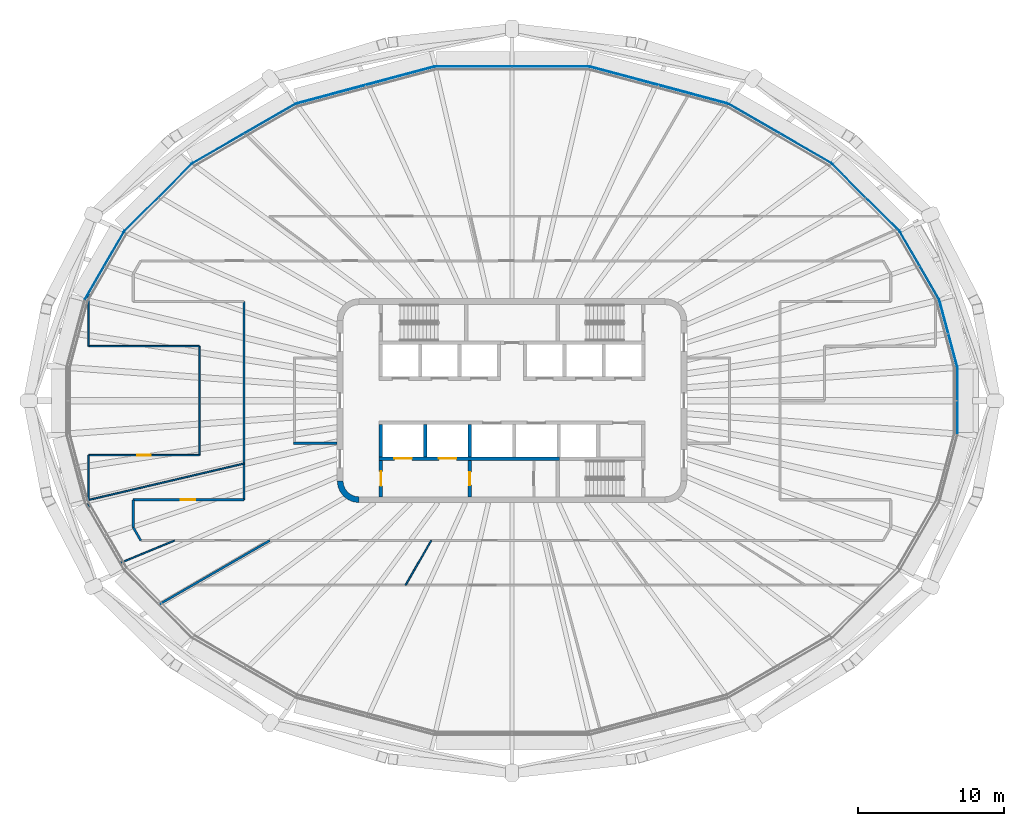
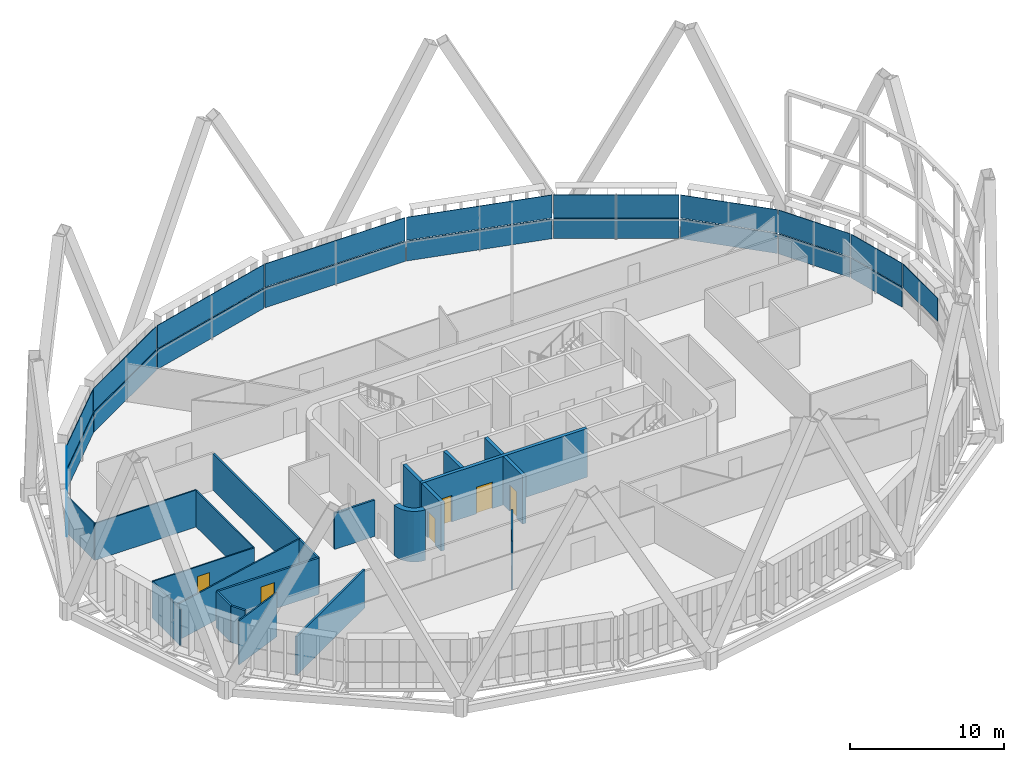
# One storey, part 12 of 23: 21 plates, 21 walls, 6 doors, 6 openings, 11 elements without a shape of their own.
"""IFC4 building model written with IfcOpenShell, lengths in metres."""

from ifc_helpers import new_model, si_unit, direction, frame, frame_2d, origin, place, context, subcontext, project, spatial, polyline, rectangle, outline, extrude, material, layer, layer_set, type_object, element, fill, aggregate, save


model = new_model("IFC4")

# Units and contexts
model_context = context("Model", 3, precision=1e-05, world=origin(), true_north=direction((0.0, 1.0)))
body_context = subcontext(model_context, "Body", "Model", "MODEL_VIEW")
ifc_project = project(units=[si_unit("LENGTHUNIT", "METRE"), si_unit("AREAUNIT", "SQUARE_METRE"), si_unit("VOLUMEUNIT", "CUBIC_METRE"), si_unit("PLANEANGLEUNIT", "RADIAN"), si_unit("MASSUNIT", "GRAM", prefix="KILO")], contexts=[model_context])

# Site, building, storey
site_placement = place(None, origin())
site = spatial("IfcSite", under=ifc_project, at=site_placement, CompositionType="ELEMENT")
building_placement = place(site_placement, origin())
building = spatial("IfcBuilding", under=site, at=building_placement, Name="Sahrelin Media Tower", CompositionType="ELEMENT")
storey_placement = place(building_placement, frame((0.0, 0.0, 217.60009765625)))
storey = spatial("IfcBuildingStorey", under=building, at=storey_placement, Name="L46", CompositionType="ELEMENT", Elevation=217.60009765625)

# Curtain wall, plate
ifc_material_1 = material(Name="Champagne anodised aluminium 6063-T6", Category="aluminium")
ifc_layer_1 = layer(ifc_material_1, 0.14990234375)
ifc_layer_set_1 = layer_set([ifc_layer_1], Name="Tower ribbon curtain wall")
curtain_wall_type = type_object("IfcCurtainWallType", Name="Tower ribbon curtain wall", PredefinedType="NOTDEFINED", material=ifc_layer_set_1)
curtain_wall_1_placement = place(storey_placement, frame((30.58251953125, 0.0, 0.0), z_axis=(0.0, 0.0, 1.0), x_axis=(1.0, 0.0, 0.0)))
curtain_wall_1 = element("IfcCurtainWall", 1, at=curtain_wall_1_placement, inside=storey, type_object=curtain_wall_type, Name="L46:CW:L46-00", PredefinedType="NOTDEFINED")
ifc_material_2 = material(Name="Clear low-iron glazing", Category="glass")
ifc_layer_2 = layer(ifc_material_2, 0.0439453125)
ifc_layer_set_2 = layer_set([ifc_layer_2], Name="Glazing panel 44 mm CW1B")
plate_type_1 = type_object("IfcPlateType", Name="Glazing panel 44 mm CW1B", PredefinedType="CURTAIN_PANEL", material=ifc_layer_set_2)
plate_1_placement = place(storey_placement, frame((30.6025390625, -2.23486328125, 1.6298828125), z_axis=(1.0, 0.0, 0.0), x_axis=(0.0, 1.0, 0.0)))
plate_1 = element("IfcPlate", 2, at=plate_1_placement, type_object=plate_type_1, Name="L46:CWP2:L46-00", PredefinedType="CURTAIN_PANEL", context=body_context, shape_type="SweptSolid", body=[
    extrude(outline(polyline([(0.0, 0.0), (4.4697265625, 0.0), (4.4697265625, 1.818603515625), (0.0, 1.818603515625), (0.0, 0.0)])), origin(), (0.0, 0.0, -1.0), 0.0439453125),
])
aggregate(curtain_wall_1, [plate_1])

curtain_wall_2_placement = place(storey_placement, frame((29.964111328125, 4.593017578125, 0.0), z_axis=(0.0, 0.0, 1.0), x_axis=(1.0, 0.0, 0.0)))
curtain_wall_2 = element("IfcCurtainWall", 3, at=curtain_wall_2_placement, inside=storey, type_object=curtain_wall_type, Name="L46:CW:L46-01", PredefinedType="NOTDEFINED")
plate_2_placement = place(storey_placement, frame((30.589111328125, 2.33837890625, 1.6298828125), z_axis=(0.965919870225, 0.258841272413, 0.0), x_axis=(-0.258841272413, 0.965919870225, 0.0)))
plate_2 = element("IfcPlate", 4, at=plate_2_placement, type_object=plate_type_1, Name="L46:CWP2:L46-01", PredefinedType="CURTAIN_PANEL", context=body_context, shape_type="SweptSolid", body=[
    extrude(outline(polyline([(0.0, 0.0), (4.67919921875, 0.0), (4.67919921875, 1.818603515625), (0.0, 1.818603515625), (0.0, 0.0)])), origin(), (0.0, 0.0, -1.0), 0.0439453125),
])

curtain_wall_3_placement = place(storey_placement, frame((27.986083984375, 9.255859375, 0.0), z_axis=(0.0, 0.0, 1.0), x_axis=(1.0, 0.0, 0.0)))
curtain_wall_3 = element("IfcCurtainWall", 5, at=curtain_wall_3_placement, inside=storey, type_object=curtain_wall_type, Name="L46:CW:L46-02", PredefinedType="NOTDEFINED")
plate_3_placement = place(storey_placement, frame((29.337890625, 6.95458984375, 1.6298828125), z_axis=(0.866027925839, 0.499995631649, 0.0), x_axis=(-0.499995631649, 0.866027925839, 0.0)))
plate_3 = element("IfcPlate", 6, at=plate_3_placement, type_object=plate_type_1, Name="L46:CWP2:L46-02", PredefinedType="CURTAIN_PANEL", context=body_context, shape_type="SweptSolid", body=[
    extrude(outline(polyline([(0.0, 0.0), (5.337890625, 0.0), (5.337890625, 1.818603515625), (0.0, 1.818603515625), (0.0, 0.0)])), origin(), (0.0, 0.0, -1.0), 0.0439453125),
])

curtain_wall_4_placement = place(storey_placement, frame((24.291015625, 13.9462890625, 0.0), z_axis=(0.0, 0.0, 1.0), x_axis=(1.0, 0.0, 0.0)))
curtain_wall_4 = element("IfcCurtainWall", 7, at=curtain_wall_4_placement, inside=storey, type_object=curtain_wall_type, Name="L46:CW:L46-03", PredefinedType="NOTDEFINED")
plate_4_placement = place(storey_placement, frame((26.60546875, 11.66015625, 1.6298828125), z_axis=(0.70712554256, 0.707088019315, 0.0), x_axis=(-0.707088019315, 0.70712554256, 0.0)))
plate_4 = element("IfcPlate", 8, at=plate_4_placement, type_object=plate_type_1, Name="L46:CWP2:L46-03", PredefinedType="CURTAIN_PANEL", context=body_context, shape_type="SweptSolid", body=[
    extrude(outline(polyline([(0.0, 0.0), (6.50634765625, 0.0), (6.50634765625, 1.818603515625), (0.0, 1.818603515625), (0.0, 0.0)])), origin(), (0.0, 0.0, -1.0), 0.0439453125),
])

curtain_wall_5_placement = place(storey_placement, frame((18.39013671875, 18.34033203125, 0.0), z_axis=(0.0, 0.0, 1.0), x_axis=(1.0, 0.0, 0.0)))
curtain_wall_5 = element("IfcCurtainWall", 9, at=curtain_wall_5_placement, inside=storey, type_object=curtain_wall_type, Name="L46:CW:L46-04", PredefinedType="NOTDEFINED")
plate_5_placement = place(storey_placement, frame((21.922119140625, 16.324462890625, 1.6298828125), z_axis=(0.499997014414, 0.866027127506, 0.0), x_axis=(-0.866027127506, 0.499997014414, 0.0)))
plate_5 = element("IfcPlate", 10, at=plate_5_placement, type_object=plate_type_1, Name="L46:CWP2:L46-04", PredefinedType="CURTAIN_PANEL", context=body_context, shape_type="SweptSolid", body=[
    extrude(outline(polyline([(0.0, 0.0), (8.13330078125, 0.0), (8.13330078125, 1.818603515625), (0.0, 1.818603515625), (0.0, 0.0)])), origin(), (0.0, 0.0, -1.0), 0.0439453125),
])

curtain_wall_6_placement = place(storey_placement, frame((10.060302734375, 21.67529296875, 0.0), z_axis=(0.0, 0.0, 1.0), x_axis=(1.0, 0.0, 0.0)))
curtain_wall_6 = element("IfcCurtainWall", 11, at=curtain_wall_6_placement, inside=storey, type_object=curtain_wall_type, Name="L46:CW:L46-05", PredefinedType="NOTDEFINED")
plate_6_placement = place(storey_placement, frame((14.781982421875, 20.430908203125, 1.6298828125), z_axis=(0.258831057931, 0.965922607381, 0.0), x_axis=(-0.965922607381, 0.258831057931, 0.0)))
plate_6 = element("IfcPlate", 12, at=plate_6_placement, type_object=plate_type_1, Name="L46:CWP2:L46-05", PredefinedType="CURTAIN_PANEL", context=body_context, shape_type="SweptSolid", body=[
    extrude(outline(polyline([(0.0, 0.0), (9.765380859375, 0.0), (9.765380859375, 1.818603515625), (0.0, 1.818603515625), (0.0, 0.0)])), origin(), (0.0, 0.0, -1.0), 0.0439453125),
])

curtain_wall_7_placement = place(storey_placement, frame((0.0, 22.9521484375, 0.0), z_axis=(0.0, 0.0, 1.0), x_axis=(1.0, 0.0, 0.0)))
curtain_wall_7 = element("IfcCurtainWall", 13, at=curtain_wall_7_placement, inside=storey, type_object=curtain_wall_type, Name="L46:CW:L46-06", PredefinedType="NOTDEFINED")
plate_7_placement = place(storey_placement, frame((5.245849609375, 22.97216796875, 1.6298828125), z_axis=(0.0, 1.0, 0.0), x_axis=(-1.0, 0.0, 0.0)))
plate_7 = element("IfcPlate", 14, at=plate_7_placement, type_object=plate_type_1, Name="L46:CWP2:L46-06", PredefinedType="CURTAIN_PANEL", context=body_context, shape_type="SweptSolid", body=[
    extrude(outline(polyline([(0.0, 0.0), (10.49169921875, 0.0), (10.49169921875, 1.818603515625), (0.0, 1.818603515625), (0.0, 0.0)])), origin(), (0.0, 0.0, -1.0), 0.0439453125),
])

curtain_wall_8_placement = place(storey_placement, frame((-10.060302734375, 21.67529296875, 0.0), z_axis=(0.0, 0.0, 1.0), x_axis=(1.0, 0.0, 0.0)))
curtain_wall_8 = element("IfcCurtainWall", 15, at=curtain_wall_8_placement, inside=storey, type_object=curtain_wall_type, Name="L46:CW:L46-07", PredefinedType="NOTDEFINED")
plate_8_placement = place(storey_placement, frame((-5.349365234375, 22.95849609375, 1.6298828125), z_axis=(-0.258831057931, 0.965922607381, 0.0), x_axis=(-0.965922607381, -0.258831057931, 0.0)))
plate_8 = element("IfcPlate", 16, at=plate_8_placement, type_object=plate_type_1, Name="L46:CWP2:L46-07", PredefinedType="CURTAIN_PANEL", context=body_context, shape_type="SweptSolid", body=[
    extrude(outline(polyline([(0.0, 0.0), (9.765380859375, 0.0), (9.765380859375, 1.818603515625), (0.0, 1.818603515625), (0.0, 0.0)])), origin(), (0.0, 0.0, -1.0), 0.0439453125),
])

curtain_wall_9_placement = place(storey_placement, frame((-18.39013671875, 18.34033203125, 0.0), z_axis=(0.0, 0.0, 1.0), x_axis=(1.0, 0.0, 0.0)))
curtain_wall_9 = element("IfcCurtainWall", 17, at=curtain_wall_9_placement, inside=storey, type_object=curtain_wall_type, Name="L46:CW:L46-08", PredefinedType="NOTDEFINED")
plate_9_placement = place(storey_placement, frame((-14.87841796875, 20.39111328125, 1.6298828125), z_axis=(-0.499997014414, 0.866027127506, 0.0), x_axis=(-0.866027127506, -0.499997014414, 0.0)))
plate_9 = element("IfcPlate", 18, at=plate_9_placement, type_object=plate_type_1, Name="L46:CWP2:L46-08", PredefinedType="CURTAIN_PANEL", context=body_context, shape_type="SweptSolid", body=[
    extrude(outline(polyline([(0.0, 0.0), (8.13330078125, 0.0), (8.13330078125, 1.818603515625), (0.0, 1.818603515625), (0.0, 0.0)])), origin(), (0.0, 0.0, -1.0), 0.0439453125),
])

curtain_wall_10_placement = place(storey_placement, frame((-24.291015625, 13.9462890625, 0.0), z_axis=(0.0, 0.0, 1.0), x_axis=(1.0, 0.0, 0.0)))
curtain_wall_10 = element("IfcCurtainWall", 19, at=curtain_wall_10_placement, inside=storey, type_object=curtain_wall_type, Name="L46:CW:L46-09", PredefinedType="NOTDEFINED")
plate_10_placement = place(storey_placement, frame((-22.0048828125, 16.260986328125, 1.6298828125), z_axis=(-0.70712554256, 0.707088019315, 0.0), x_axis=(-0.707088019315, -0.70712554256, 0.0)))
plate_10 = element("IfcPlate", 20, at=plate_10_placement, type_object=plate_type_1, Name="L46:CWP2:L46-09", PredefinedType="CURTAIN_PANEL", context=body_context, shape_type="SweptSolid", body=[
    extrude(outline(polyline([(0.0, 0.0), (6.50634765625, 0.0), (6.50634765625, 1.818603515625), (0.0, 1.818603515625), (0.0, 0.0)])), origin(), (0.0, 0.0, -1.0), 0.0439453125),
])

curtain_wall_11_placement = place(storey_placement, frame((-27.986083984375, 9.256103515625, 0.0), z_axis=(0.0, 0.0, 1.0), x_axis=(1.0, 0.0, 0.0)))
curtain_wall_11 = element("IfcCurtainWall", 21, at=curtain_wall_11_placement, inside=storey, type_object=curtain_wall_type, Name="L46:CW:L46-10", PredefinedType="NOTDEFINED")
plate_11_placement = place(storey_placement, frame((-26.6689453125, 11.577392578125, 1.6298828125), z_axis=(-0.866027925839, 0.499995631649, 0.0), x_axis=(-0.499995631649, -0.866027925839, 0.0)))
plate_11 = element("IfcPlate", 22, at=plate_11_placement, type_object=plate_type_1, Name="L46:CWP2:L46-10", PredefinedType="CURTAIN_PANEL", context=body_context, shape_type="SweptSolid", body=[
    extrude(outline(polyline([(0.0, 0.0), (5.337890625, 0.0), (5.337890625, 1.818603515625), (0.0, 1.818603515625), (0.0, 0.0)])), origin(), (0.0, 0.0, -1.0), 0.0439453125),
])

# Plate
ifc_material_3 = material(Name="Insulated spandrel panel")
ifc_layer_3 = layer(ifc_material_3, 0.06005859375)
ifc_layer_set_3 = layer_set([ifc_layer_3], Name="Spandrel panel 60 mm CW1")
plate_type_2 = type_object("IfcPlateType", Name="Spandrel panel 60 mm CW1", PredefinedType="SHEET", material=ifc_layer_set_3)
plate_12_placement = place(storey_placement, frame((30.589111328125, 2.33837890625, 0.0), z_axis=(0.965919870225, 0.258841272413, 0.0), x_axis=(-0.258841272413, 0.965919870225, 0.0)))
plate_12 = element("IfcPlate", 23, at=plate_12_placement, type_object=plate_type_2, Name="L46:CWP1:L46-01", PredefinedType="SHEET", context=body_context, shape_type="SweptSolid", body=[
    extrude(outline(polyline([(0.0, 0.0), (4.67919921875, 0.0), (4.67919921875, 1.56982421875), (0.0, 1.56982421875), (0.0, 0.0)])), origin(), (0.0, 0.0, -1.0), 0.06005859375),
])

aggregate(curtain_wall_2, [plate_12, plate_2])

plate_13_placement = place(storey_placement, frame((29.337890625, 6.95458984375, 0.0), z_axis=(0.866027925839, 0.499995631649, 0.0), x_axis=(-0.499995631649, 0.866027925839, 0.0)))
plate_13 = element("IfcPlate", 24, at=plate_13_placement, type_object=plate_type_2, Name="L46:CWP1:L46-02", PredefinedType="SHEET", context=body_context, shape_type="SweptSolid", body=[
    extrude(outline(polyline([(0.0, 0.0), (5.337890625, 0.0), (5.337890625, 1.56982421875), (0.0, 1.56982421875), (0.0, 0.0)])), origin(), (0.0, 0.0, -1.0), 0.06005859375),
])

aggregate(curtain_wall_3, [plate_13, plate_3])

plate_14_placement = place(storey_placement, frame((26.60546875, 11.66015625, 0.0), z_axis=(0.70712554256, 0.707088019315, 0.0), x_axis=(-0.707088019315, 0.70712554256, 0.0)))
plate_14 = element("IfcPlate", 25, at=plate_14_placement, type_object=plate_type_2, Name="L46:CWP1:L46-03", PredefinedType="SHEET", context=body_context, shape_type="SweptSolid", body=[
    extrude(outline(polyline([(0.0, 0.0), (6.50634765625, 0.0), (6.50634765625, 1.56982421875), (0.0, 1.56982421875), (0.0, 0.0)])), origin(), (0.0, 0.0, -1.0), 0.06005859375),
])

aggregate(curtain_wall_4, [plate_14, plate_4])

plate_15_placement = place(storey_placement, frame((21.922119140625, 16.324462890625, 0.0), z_axis=(0.499997014414, 0.866027127506, 0.0), x_axis=(-0.866027127506, 0.499997014414, 0.0)))
plate_15 = element("IfcPlate", 26, at=plate_15_placement, type_object=plate_type_2, Name="L46:CWP1:L46-04", PredefinedType="SHEET", context=body_context, shape_type="SweptSolid", body=[
    extrude(outline(polyline([(0.0, 0.0), (8.13330078125, 0.0), (8.13330078125, 1.56982421875), (0.0, 1.56982421875), (0.0, 0.0)])), origin(), (0.0, 0.0, -1.0), 0.06005859375),
])

aggregate(curtain_wall_5, [plate_15, plate_5])

plate_16_placement = place(storey_placement, frame((14.781982421875, 20.430908203125, 0.0), z_axis=(0.258831057931, 0.965922607381, 0.0), x_axis=(-0.965922607381, 0.258831057931, 0.0)))
plate_16 = element("IfcPlate", 27, at=plate_16_placement, type_object=plate_type_2, Name="L46:CWP1:L46-05", PredefinedType="SHEET", context=body_context, shape_type="SweptSolid", body=[
    extrude(outline(polyline([(0.0, 0.0), (9.765380859375, 0.0), (9.765380859375, 1.56982421875), (0.0, 1.56982421875), (0.0, 0.0)])), origin(), (0.0, 0.0, -1.0), 0.06005859375),
])

aggregate(curtain_wall_6, [plate_16, plate_6])

plate_17_placement = place(storey_placement, frame((5.245849609375, 22.97216796875, 0.0), z_axis=(0.0, 1.0, 0.0), x_axis=(-1.0, 0.0, 0.0)))
plate_17 = element("IfcPlate", 28, at=plate_17_placement, type_object=plate_type_2, Name="L46:CWP1:L46-06", PredefinedType="SHEET", context=body_context, shape_type="SweptSolid", body=[
    extrude(outline(polyline([(0.0, 0.0), (10.49169921875, 0.0), (10.49169921875, 1.56982421875), (0.0, 1.56982421875), (0.0, 0.0)])), origin(), (0.0, 0.0, -1.0), 0.06005859375),
])

aggregate(curtain_wall_7, [plate_17, plate_7])

plate_18_placement = place(storey_placement, frame((-5.349365234375, 22.95849609375, 0.0), z_axis=(-0.258831057931, 0.965922607381, 0.0), x_axis=(-0.965922607381, -0.258831057931, 0.0)))
plate_18 = element("IfcPlate", 29, at=plate_18_placement, type_object=plate_type_2, Name="L46:CWP1:L46-07", PredefinedType="SHEET", context=body_context, shape_type="SweptSolid", body=[
    extrude(outline(polyline([(0.0, 0.0), (9.765380859375, 0.0), (9.765380859375, 1.56982421875), (0.0, 1.56982421875), (0.0, 0.0)])), origin(), (0.0, 0.0, -1.0), 0.06005859375),
])

aggregate(curtain_wall_8, [plate_18, plate_8])

plate_19_placement = place(storey_placement, frame((-14.87841796875, 20.39111328125, 0.0), z_axis=(-0.499997014414, 0.866027127506, 0.0), x_axis=(-0.866027127506, -0.499997014414, 0.0)))
plate_19 = element("IfcPlate", 30, at=plate_19_placement, type_object=plate_type_2, Name="L46:CWP1:L46-08", PredefinedType="SHEET", context=body_context, shape_type="SweptSolid", body=[
    extrude(outline(polyline([(0.0, 0.0), (8.13330078125, 0.0), (8.13330078125, 1.56982421875), (0.0, 1.56982421875), (0.0, 0.0)])), origin(), (0.0, 0.0, -1.0), 0.06005859375),
])

aggregate(curtain_wall_9, [plate_19, plate_9])

plate_20_placement = place(storey_placement, frame((-22.0048828125, 16.260986328125, 0.0), z_axis=(-0.70712554256, 0.707088019315, 0.0), x_axis=(-0.707088019315, -0.70712554256, 0.0)))
plate_20 = element("IfcPlate", 31, at=plate_20_placement, type_object=plate_type_2, Name="L46:CWP1:L46-09", PredefinedType="SHEET", context=body_context, shape_type="SweptSolid", body=[
    extrude(outline(polyline([(0.0, 0.0), (6.50634765625, 0.0), (6.50634765625, 1.56982421875), (0.0, 1.56982421875), (0.0, 0.0)])), origin(), (0.0, 0.0, -1.0), 0.06005859375),
])

aggregate(curtain_wall_10, [plate_20, plate_10])

plate_21_placement = place(storey_placement, frame((-26.6689453125, 11.577392578125, 0.0), z_axis=(-0.866027925839, 0.499995631649, 0.0), x_axis=(-0.499995631649, -0.866027925839, 0.0)))
plate_21 = element("IfcPlate", 32, at=plate_21_placement, type_object=plate_type_2, Name="L46:CWP1:L46-10", PredefinedType="SHEET", context=body_context, shape_type="SweptSolid", body=[
    extrude(outline(polyline([(0.0, 0.0), (5.337890625, 0.0), (5.337890625, 1.56982421875), (0.0, 1.56982421875), (0.0, 0.0)])), origin(), (0.0, 0.0, -1.0), 0.06005859375),
])

aggregate(curtain_wall_11, [plate_21, plate_11])

# Walls
ifc_material_4 = material(Name="Concrete C60/75", Category="concrete")
ifc_layer_4 = layer(ifc_material_4, 0.39990234375)
ifc_layer_set_4 = layer_set([ifc_layer_4], Name="Core wall 400")
wall_type_1 = type_object("IfcWallType", Name="Core wall 400", PredefinedType="SHEAR", material=ifc_layer_set_4)
wall_1_placement = place(storey_placement, origin())
element("IfcWall", 33, at=wall_1_placement, inside=storey, type_object=wall_type_1, Name="Core wall corner SW L46", PredefinedType="SHEAR", context=body_context, shape_type="SweptSolid", body=[
    extrude(outline(polyline([(-10.5, -7.0), (-10.5, -6.596435546875), (-10.78369140625, -6.55908203125), (-11.04833984375, -6.44970703125), (-11.275390625, -6.275390625), (-11.44970703125, -6.04833984375), (-11.55908203125, -5.78369140625), (-11.596435546875, -5.5), (-12.0, -5.5), (-11.948974609375, -5.88818359375), (-11.799072265625, -6.25), (-11.560791015625, -6.560791015625), (-11.25, -6.799072265625), (-10.88818359375, -6.948974609375), (-10.5, -7.0)])), origin(), (0.0, 0.0, 1.0), 4.0),
])
ifc_material_5 = material(Name="Fire-rated gypsum board partition")
ifc_layer_5 = layer(ifc_material_5, 0.14990234375)
ifc_layer_set_5 = layer_set([ifc_layer_5], Name="Fire-rated partition 150")
wall_type_2 = type_object("IfcWallType", Name="Fire-rated partition 150", PredefinedType="PARTITIONING", material=ifc_layer_set_5)
wall_2_placement = place(storey_placement, frame((-15.0, -2.925048828125, 0.0), z_axis=(0.0, 0.0, 1.0), x_axis=(1.0, 0.0, 0.0)))
element("IfcWall", 34, at=wall_2_placement, inside=storey, type_object=wall_type_2, Name="Core room fire partition", PredefinedType="PARTITIONING", context=body_context, shape_type="SweptSolid", body=[
    extrude(rectangle(XDim=3.0, YDim=0.14990234375, at=frame_2d((1.5, 0.0))), origin(), (0.0, 0.0, 1.0), 2.8681640625),
])
wall_3_placement = place(storey_placement, frame((-26.0, -8.697021484375, 0.0), z_axis=(0.0, 0.0, 1.0), x_axis=(0.499715696113, -0.8661894845, 0.0)))
element("IfcWall", 35, at=wall_3_placement, inside=storey, type_object=wall_type_2, Name="Wall", PredefinedType="PARTITIONING", context=body_context, shape_type="SweptSolid", body=[
    extrude(rectangle(XDim=1.04248046875, YDim=0.14990234375, at=frame_2d((0.521240234375, 0.0))), origin(), (0.0, 0.0, 1.0), 2.876953125),
])

# Wall, opening, door
wall_4_placement = place(storey_placement, frame((-26.0, -6.800048828125, 0.0), z_axis=(0.0, 0.0, 1.0), x_axis=(1.0, 0.0, 0.0)))
wall_4 = element("IfcWall", 36, at=wall_4_placement, inside=storey, type_object=wall_type_2, Name="Wall", PredefinedType="PARTITIONING", context=body_context, shape_type="SweptSolid", body=[
    extrude(rectangle(XDim=7.60009765625, YDim=0.14990234375, at=frame_2d((3.800048828125, 0.0))), origin(), (0.0, 0.0, 1.0), 2.876953125),
])
opening_1_placement = place(wall_4_placement, frame((3.2490234375, 0.0, 0.0)))
opening_1 = element("IfcOpeningElement", 37, at=opening_1_placement, cuts=wall_4, Name="Opening L46-D21", PredefinedType="OPENING", context=body_context, shape_type="SweptSolid", body=[
    extrude(rectangle(XDim=1.0, YDim=2.10009765625, at=frame_2d((0.5, 1.050048828125))), frame((0.0, 0.074951171875, 0.0), z_axis=(0.0, -1.0, 0.0), x_axis=(1.0, 0.0, 0.0)), (0.0, 0.0, 1.0), 0.14990234375),
])
ifc_material_6 = material(Name="Steel fire door leaf", Category="steel")
door_type_1 = type_object("IfcDoorType", Name="Fire door 1000 x 2100 EI 60", OperationType="NOTDEFINED", PredefinedType="DOOR", material=ifc_material_6)
door_1_placement = place(opening_1_placement, origin())
door_1 = element("IfcDoor", 38, at=door_1_placement, inside=storey, type_object=door_type_1, Name="Fire door", OperationType="SINGLE_SWING_LEFT", OverallHeight=2.10009765625, OverallWidth=1.0, PredefinedType="DOOR", context=body_context, shape_type="SweptSolid", body=[
    extrude(rectangle(XDim=1.0, YDim=2.10009765625, at=frame_2d((0.5, 1.050048828125))), frame((0.0, 0.02490234375, 0.0), z_axis=(0.0, -1.0, 0.0), x_axis=(1.0, 0.0, 0.0)), (0.0, 0.0, 1.0), 0.050048828125),
])
fill(opening_1, door_1)

# Walls
wall_5_placement = place(storey_placement, frame((-24.241943359375, -13.99609375, 0.0), z_axis=(0.0, 0.0, 1.0), x_axis=(0.86602327363, 0.500003689518, 0.0)))
element("IfcWall", 39, at=wall_5_placement, inside=storey, type_object=wall_type_2, Name="Wall", PredefinedType="PARTITIONING", context=body_context, shape_type="SweptSolid", body=[
    extrude(rectangle(XDim=8.7919921875, YDim=0.14990234375, at=frame_2d((4.39599609375, 0.0))), origin(), (0.0, 0.0, 1.0), 3.02587890625),
])
wall_6_placement = place(storey_placement, frame((-18.39990234375, -6.800048828125, 0.0), z_axis=(0.0, 0.0, 1.0), x_axis=(0.0, 1.0, 0.0)))
element("IfcWall", 40, at=wall_6_placement, inside=storey, type_object=wall_type_2, Name="Wall", PredefinedType="PARTITIONING", context=body_context, shape_type="SweptSolid", body=[
    extrude(rectangle(XDim=13.60009765625, YDim=0.14990234375, at=frame_2d((6.800048828125, 0.0))), origin(), (0.0, 0.0, 1.0), 2.8681640625),
])
wall_7_placement = place(storey_placement, frame((-26.0, -8.697021484375, 0.0), z_axis=(0.0, 0.0, 1.0), x_axis=(0.0, 1.0, 0.0)))
element("IfcWall", 41, at=wall_7_placement, inside=storey, type_object=wall_type_2, Name="Wall", PredefinedType="PARTITIONING", context=body_context, shape_type="SweptSolid", body=[
    extrude(rectangle(XDim=1.89697265625, YDim=0.14990234375, at=frame_2d((0.948486328125, 0.0))), origin(), (0.0, 0.0, 1.0), 2.876953125),
])

# Wall, opening, door
ifc_layer_6 = layer(ifc_material_5, 0.25)
ifc_layer_set_6 = layer_set([ifc_layer_6], Name="Firefighting lobby wall 250")
wall_type_3 = type_object("IfcWallType", Name="Firefighting lobby wall 250", PredefinedType="PARTITIONING", material=ifc_layer_set_6)
wall_8_placement = place(storey_placement, frame((-9.0, -6.60009765625, 0.0), z_axis=(0.0, 0.0, 1.0), x_axis=(0.0, 1.0, 0.0)))
wall_8 = element("IfcWall", 42, at=wall_8_placement, inside=storey, type_object=wall_type_3, Name="Core wall", PredefinedType="PARTITIONING", context=body_context, shape_type="SweptSolid", body=[
    extrude(rectangle(XDim=2.5, YDim=0.25, at=frame_2d((1.25, 0.0))), origin(), (0.0, 0.0, 1.0), 3.849853515625),
])
opening_2_placement = place(wall_8_placement, frame((0.75, 0.0, 0.0)))
opening_2 = element("IfcOpeningElement", 43, at=opening_2_placement, cuts=wall_8, Name="Opening L46-D04", PredefinedType="OPENING", context=body_context, shape_type="SweptSolid", body=[
    extrude(rectangle(XDim=1.0, YDim=2.10009765625, at=frame_2d((0.5, 1.050048828125))), frame((0.0, 0.125, 0.0), z_axis=(0.0, -1.0, 0.0), x_axis=(1.0, 0.0, 0.0)), (0.0, 0.0, 1.0), 0.25),
])
door_type_2 = type_object("IfcDoorType", Name="Firefighting lobby door 1000 x 2100 EI 120", OperationType="NOTDEFINED", PredefinedType="DOOR", material=ifc_material_6)
door_2_placement = place(opening_2_placement, origin())
door_2 = element("IfcDoor", 44, at=door_2_placement, inside=storey, type_object=door_type_2, Name="Firefighting lobby door", OperationType="SINGLE_SWING_LEFT", OverallHeight=2.10009765625, OverallWidth=1.0, PredefinedType="DOOR", context=body_context, shape_type="SweptSolid", body=[
    extrude(rectangle(XDim=1.0, YDim=2.10009765625, at=frame_2d((0.5, 1.050048828125))), frame((0.0, 0.02490234375, 0.0), z_axis=(0.0, -1.0, 0.0), x_axis=(1.0, 0.0, 0.0)), (0.0, 0.0, 1.0), 0.050048828125),
])
fill(opening_2, door_2)

wall_9_placement = place(storey_placement, frame((-2.89990234375, -6.60009765625, 0.0), z_axis=(0.0, 0.0, 1.0), x_axis=(0.0, 1.0, 0.0)))
wall_9 = element("IfcWall", 45, at=wall_9_placement, inside=storey, type_object=wall_type_3, Name="Core wall", PredefinedType="PARTITIONING", context=body_context, shape_type="SweptSolid", body=[
    extrude(rectangle(XDim=2.5, YDim=0.25, at=frame_2d((1.25, 0.0))), origin(), (0.0, 0.0, 1.0), 3.849853515625),
])
opening_3_placement = place(wall_9_placement, frame((0.800048828125, 0.0, 0.0)))
opening_3 = element("IfcOpeningElement", 46, at=opening_3_placement, cuts=wall_9, Name="Opening L46-D05", PredefinedType="OPENING", context=body_context, shape_type="SweptSolid", body=[
    extrude(rectangle(XDim=0.89990234375, YDim=2.10009765625, at=frame_2d((0.449951171875, 1.050048828125))), frame((0.0, 0.125, 0.0), z_axis=(0.0, -1.0, 0.0), x_axis=(1.0, 0.0, 0.0)), (0.0, 0.0, 1.0), 0.25),
])
door_type_3 = type_object("IfcDoorType", Name="Firefighting lobby door 900 x 2100 EI 120", OperationType="NOTDEFINED", PredefinedType="DOOR", material=ifc_material_6)
door_3_placement = place(opening_3_placement, origin())
door_3 = element("IfcDoor", 47, at=door_3_placement, inside=storey, type_object=door_type_3, Name="Riser door", OperationType="SINGLE_SWING_RIGHT", OverallHeight=2.10009765625, OverallWidth=0.89990234375, PredefinedType="DOOR", context=body_context, shape_type="SweptSolid", body=[
    extrude(rectangle(XDim=0.89990234375, YDim=2.10009765625, at=frame_2d((0.449951171875, 1.050048828125))), frame((0.0, 0.02490234375, 0.0), z_axis=(0.0, -1.0, 0.0), x_axis=(1.0, 0.0, 0.0)), (0.0, 0.0, 1.0), 0.050048828125),
])
fill(opening_3, door_3)

# Wall, openings, doors
ifc_layer_7 = layer(ifc_material_4, 0.25)
ifc_layer_set_7 = layer_set([ifc_layer_7], Name="Lift shaft wall 250")
wall_type_4 = type_object("IfcWallType", Name="Lift shaft wall 250", PredefinedType="SOLIDWALL", material=ifc_layer_set_7)
wall_10_placement = place(storey_placement, frame((-9.125, -3.97509765625, 0.0), z_axis=(0.0, 0.0, 1.0), x_axis=(1.0, 0.0, 0.0)))
wall_10 = element("IfcWall", 48, at=wall_10_placement, inside=storey, type_object=wall_type_4, Name="Lift shaft wall", PredefinedType="SOLIDWALL", context=body_context, shape_type="SweptSolid", body=[
    extrude(rectangle(XDim=12.39990234375, YDim=0.25, at=frame_2d((6.199951171875, 0.0))), origin(), (0.0, 0.0, 1.0), 3.849853515625),
])
opening_4_placement = place(wall_10_placement, frame((1.050048828125, 0.0, 0.0)))
opening_4 = element("IfcOpeningElement", 49, at=opening_4_placement, cuts=wall_10, Name="Opening L46-LD-FF1", PredefinedType="OPENING", context=body_context, shape_type="SweptSolid", body=[
    extrude(rectangle(XDim=1.199951171875, YDim=2.10009765625, at=frame_2d((0.60009765625, 1.050048828125))), frame((0.0, 0.125, 0.0), z_axis=(0.0, -1.0, 0.0), x_axis=(1.0, 0.0, 0.0)), (0.0, 0.0, 1.0), 0.25),
])
opening_5_placement = place(wall_10_placement, frame((4.10009765625, 0.0, 0.0)))
opening_5 = element("IfcOpeningElement", 50, at=opening_5_placement, cuts=wall_10, Name="Opening L46-LD-FF2", PredefinedType="OPENING", context=body_context, shape_type="SweptSolid", body=[
    extrude(rectangle(XDim=1.199951171875, YDim=2.10009765625, at=frame_2d((0.60009765625, 1.050048828125))), frame((0.0, 0.125, 0.0), z_axis=(0.0, -1.0, 0.0), x_axis=(1.0, 0.0, 0.0)), (0.0, 0.0, 1.0), 0.25),
])
ifc_material_7 = material(Name="Stainless steel", Category="steel")
door_type_4 = type_object("IfcDoorType", Name="Lift landing door 1200 x 2100 EI 120", OperationType="DOUBLE_DOOR_SLIDING", PredefinedType="DOOR", material=ifc_material_7)
door_4_placement = place(opening_4_placement, origin())
door_4 = element("IfcDoor", 51, at=door_4_placement, inside=storey, type_object=door_type_4, Name="Lift landing door FF1", OperationType="DOUBLE_DOOR_SLIDING", OverallHeight=2.10009765625, OverallWidth=1.199951171875, PredefinedType="DOOR", context=body_context, shape_type="SweptSolid", body=[
    extrude(rectangle(XDim=1.199951171875, YDim=2.10009765625, at=frame_2d((0.60009765625, 1.050048828125))), frame((0.0, 0.02490234375, 0.0), z_axis=(0.0, -1.0, 0.0), x_axis=(1.0, 0.0, 0.0)), (0.0, 0.0, 1.0), 0.050048828125),
])
fill(opening_4, door_4)
door_5_placement = place(opening_5_placement, origin())
door_5 = element("IfcDoor", 52, at=door_5_placement, inside=storey, type_object=door_type_4, Name="Lift landing door FF2", OperationType="DOUBLE_DOOR_SLIDING", OverallHeight=2.10009765625, OverallWidth=1.199951171875, PredefinedType="DOOR", context=body_context, shape_type="SweptSolid", body=[
    extrude(rectangle(XDim=1.199951171875, YDim=2.10009765625, at=frame_2d((0.60009765625, 1.050048828125))), frame((0.0, 0.02490234375, 0.0), z_axis=(0.0, -1.0, 0.0), x_axis=(1.0, 0.0, 0.0)), (0.0, 0.0, 1.0), 0.050048828125),
])
fill(opening_5, door_5)

# Walls
for number, where, z_axis, x_axis, name in (
    (53, (-9.0, -3.85009765625, 0.0), (0.0, 0.0, 1.0), (0.0, 1.0, 0.0), "Lift shaft wall"),
    (54, (-5.949951171875, -3.85009765625, 0.0), (0.0, 0.0, 1.0), (0.0, 1.0, 0.0), "Lift shaft wall"),
    (55, (-2.89990234375, -3.85009765625, 0.0), (0.0, 0.0, 1.0), (0.0, 1.0, 0.0), "Lift shaft wall"),
):
    element("IfcWall", number, at=place(storey_placement, frame(where, z_axis=z_axis, x_axis=x_axis)), inside=storey, type_object=wall_type_4, Name=name, PredefinedType="SOLIDWALL", context=body_context, shape_type="SweptSolid", body=[
        extrude(rectangle(XDim=2.2001953125, YDim=0.25, at=frame_2d((1.10009765625, 0.0))), origin(), (0.0, 0.0, 1.0), 3.849853515625),
    ])

# Wall, opening, door
ifc_material_8 = material(Name="Gypsum board partition")
ifc_layer_8 = layer(ifc_material_8, 0.10009765625)
ifc_layer_set_8 = layer_set([ifc_layer_8], Name="Partition 100")
wall_type_5 = type_object("IfcWallType", Name="Partition 100", PredefinedType="PARTITIONING", material=ifc_layer_set_8)
wall_11_placement = place(storey_placement, frame((-29.06005859375, -3.739990234375, 0.0), z_axis=(0.0, 0.0, 1.0), x_axis=(1.0, 0.0, 0.0)))
wall_11 = element("IfcWall", 56, at=wall_11_placement, inside=storey, type_object=wall_type_5, Name="Wall", PredefinedType="PARTITIONING", context=body_context, shape_type="SweptSolid", body=[
    extrude(rectangle(XDim=7.60009765625, YDim=0.10009765625, at=frame_2d((3.800048828125, 0.0))), origin(), (0.0, 0.0, 1.0), 2.876953125),
])
opening_6_placement = place(wall_11_placement, frame((3.35009765625, 0.0, 0.0)))
opening_6 = element("IfcOpeningElement", 57, at=opening_6_placement, cuts=wall_11, Name="Opening L46-D23", PredefinedType="OPENING", context=body_context, shape_type="SweptSolid", body=[
    extrude(rectangle(XDim=0.89990234375, YDim=2.10009765625, at=frame_2d((0.449951171875, 1.050048828125))), frame((0.0, 0.050048828125, 0.0), z_axis=(0.0, -1.0, 0.0), x_axis=(1.0, 0.0, 0.0)), (0.0, 0.0, 1.0), 0.10009765625),
])
ifc_material_9 = material(Name="Timber door leaf", Category="wood")
door_type_5 = type_object("IfcDoorType", Name="Single door 900 x 2100", OperationType="NOTDEFINED", PredefinedType="DOOR", material=ifc_material_9)
door_6_placement = place(opening_6_placement, origin())
door_6 = element("IfcDoor", 58, at=door_6_placement, inside=storey, type_object=door_type_5, Name="Single door", OperationType="SINGLE_SWING_LEFT", OverallHeight=2.10009765625, OverallWidth=0.89990234375, PredefinedType="DOOR", context=body_context, shape_type="SweptSolid", body=[
    extrude(rectangle(XDim=0.89990234375, YDim=2.10009765625, at=frame_2d((0.449951171875, 1.050048828125))), frame((0.0, 0.02490234375, 0.0), z_axis=(0.0, -1.0, 0.0), x_axis=(1.0, 0.0, 0.0)), (0.0, 0.0, 1.0), 0.050048828125),
])
fill(opening_6, door_6)

# Walls
wall_12_placement = place(storey_placement, frame((-29.06005859375, 3.739990234375, 0.0), z_axis=(0.0, 0.0, 1.0), x_axis=(1.0, 0.0, 0.0)))
element("IfcWall", 59, at=wall_12_placement, inside=storey, type_object=wall_type_5, Name="Wall", PredefinedType="PARTITIONING", context=body_context, shape_type="SweptSolid", body=[
    extrude(rectangle(XDim=7.60009765625, YDim=0.10009765625, at=frame_2d((3.800048828125, 0.0))), origin(), (0.0, 0.0, 1.0), 2.927001953125),
])
wall_13_placement = place(storey_placement, frame((-29.06005859375, -6.81494140625, 0.0), z_axis=(0.0, 0.0, 1.0), x_axis=(0.973585340427, 0.22832342172, 0.0)))
element("IfcWall", 60, at=wall_13_placement, inside=storey, type_object=wall_type_5, Name="Wall", PredefinedType="PARTITIONING", context=body_context, shape_type="SweptSolid", body=[
    extrude(rectangle(XDim=10.949462890625, YDim=0.10009765625, at=frame_2d((5.474609375, 0.0))), origin(), (0.0, 0.0, 1.0), 2.8681640625),
])
wall_14_placement = place(storey_placement, frame((-26.89697265625, -11.14306640625, 0.0), z_axis=(0.0, 0.0, 1.0), x_axis=(0.923872174496, 0.382701195701, 0.0)))
element("IfcWall", 61, at=wall_14_placement, inside=storey, type_object=wall_type_5, Name="Wall", PredefinedType="PARTITIONING", context=body_context, shape_type="SweptSolid", body=[
    extrude(rectangle(XDim=4.03173828125, YDim=0.10009765625, at=frame_2d((2.015869140625, 0.0))), origin(), (0.0, 0.0, 1.0), 3.4765625),
])
wall_15_placement = place(storey_placement, frame((-7.30908203125, -12.659912109375, 0.0), z_axis=(0.0, 0.0, 1.0), x_axis=(0.499899920428, 0.866083177042, 0.0)))
element("IfcWall", 62, at=wall_15_placement, inside=storey, type_object=wall_type_5, Name="Wall", PredefinedType="PARTITIONING", context=body_context, shape_type="SweptSolid", body=[
    extrude(rectangle(XDim=3.532958984375, YDim=0.10009765625, at=frame_2d((1.7666015625, 0.0))), origin(), (0.0, 0.0, 1.0), 3.849853515625),
])
wall_16_placement = place(storey_placement, frame((-21.4599609375, -3.739990234375, 0.0), z_axis=(0.0, 0.0, 1.0), x_axis=(0.0, 1.0, 0.0)))
element("IfcWall", 63, at=wall_16_placement, inside=storey, type_object=wall_type_5, Name="Wall", PredefinedType="PARTITIONING", context=body_context, shape_type="SweptSolid", body=[
    extrude(rectangle(XDim=7.47998046875, YDim=0.10009765625, at=frame_2d((3.739990234375, 0.0))), origin(), (0.0, 0.0, 1.0), 2.8681640625),
])
wall_17_placement = place(storey_placement, frame((-29.06005859375, -7.39599609375, 0.0), z_axis=(0.0, 0.0, 1.0), x_axis=(0.0, 1.0, 0.0)))
element("IfcWall", 64, at=wall_17_placement, inside=storey, type_object=wall_type_5, Name="Wall", PredefinedType="PARTITIONING", context=body_context, shape_type="SweptSolid", body=[
    extrude(rectangle(XDim=3.656005859375, YDim=0.10009765625, at=frame_2d((1.828125, 0.0))), origin(), (0.0, 0.0, 1.0), 2.8681640625),
])
wall_18_placement = place(storey_placement, frame((-29.06005859375, 3.739990234375, 0.0), z_axis=(0.0, 0.0, 1.0), x_axis=(0.0, 1.0, 0.0)))
element("IfcWall", 65, at=wall_18_placement, inside=storey, type_object=wall_type_5, Name="Wall", PredefinedType="PARTITIONING", context=body_context, shape_type="SweptSolid", body=[
    extrude(rectangle(XDim=3.656005859375, YDim=0.10009765625, at=frame_2d((1.828125, 0.0))), origin(), (0.0, 0.0, 1.0), 2.918212890625),
])

save(model, "model.ifc")
